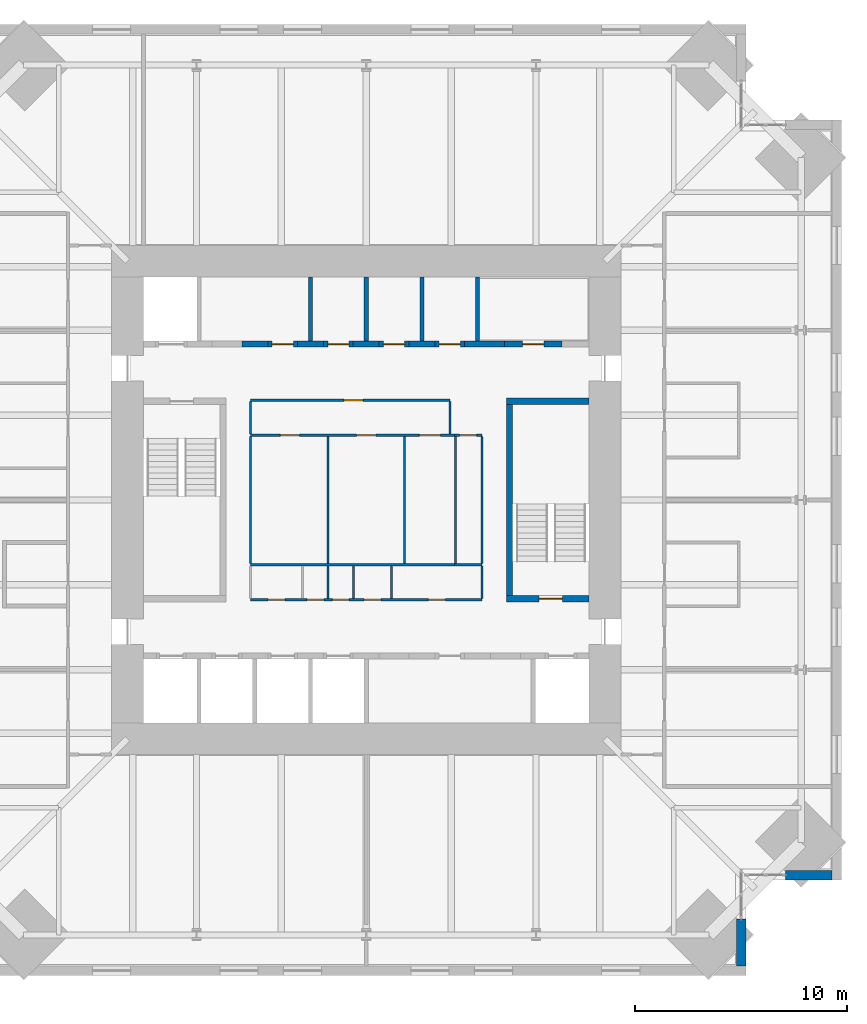
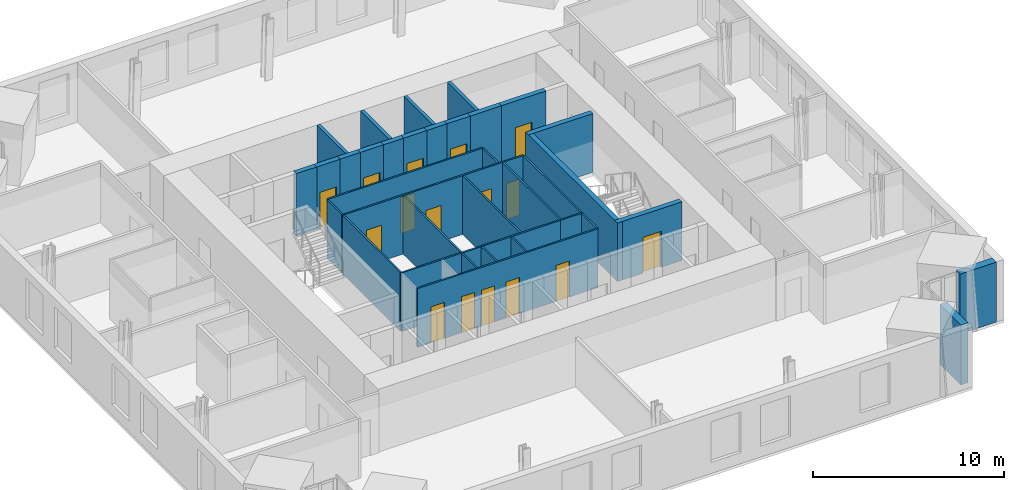
# One storey, part 14 of 17: 36 walls, 16 doors, 16 openings.
"""IFC4 building model written with IfcOpenShell, lengths in metres."""

from ifc_helpers import new_model, si_unit, direction, frame, frame_2d, origin, place, context, subcontext, project, spatial, rectangle, extrude, material, layer, layer_set, type_object, element, fill, save


model = new_model("IFC4")

# Units and contexts
model_context = context("Model", 3, precision=1e-05, world=origin(), true_north=direction((0.0, 1.0)))
body_context = subcontext(model_context, "Body", "Model", "MODEL_VIEW")
ifc_project = project(units=[si_unit("LENGTHUNIT", "METRE"), si_unit("AREAUNIT", "SQUARE_METRE"), si_unit("VOLUMEUNIT", "CUBIC_METRE"), si_unit("PLANEANGLEUNIT", "RADIAN"), si_unit("MASSUNIT", "GRAM", prefix="KILO")], contexts=[model_context])

# Site, building, storey
site_placement = place(None, origin())
site = spatial("IfcSite", under=ifc_project, at=site_placement, CompositionType="ELEMENT")
building_placement = place(site_placement, origin())
building = spatial("IfcBuilding", under=site, at=building_placement, Name="Peilmerk Tower", CompositionType="ELEMENT")
storey_placement = place(building_placement, frame((0.0, 0.0, 257.800048828125)))
storey = spatial("IfcBuildingStorey", under=building, at=storey_placement, Name="L57", CompositionType="ELEMENT", Elevation=257.800048828125)

# Walls
ifc_material_1 = material(Name="Precast concrete C45/55, board-marked finish", Category="concrete")
ifc_layer_1 = layer(ifc_material_1, 0.449951171875)
ifc_layer_set_1 = layer_set([ifc_layer_1], Name="Precast concrete C45/55, board-marked finish")
wall_type_1 = type_object("IfcWallType", Name="EW1 450 precast concrete facade wall, board-marked", PredefinedType="SOLIDWALL", material=ifc_layer_set_1)
for number, where, z_axis, x_axis, name in (
    (1, (17.675048828125, -19.753662109375, 0.0), (0.0, 0.0, 1.0), (0.0, -1.0, 0.0), "Facade wall SEA L57"),
    (2, (19.753662109375, -17.675048828125, 0.0), (0.0, 0.0, 1.0), (1.0, 0.0, 0.0), "Facade wall SEB L57"),
):
    element("IfcWall", number, at=place(storey_placement, frame(where, z_axis=z_axis, x_axis=x_axis)), inside=storey, type_object=wall_type_1, Name=name, PredefinedType="SOLIDWALL", context=body_context, shape_type="SweptSolid", body=[
        extrude(rectangle(XDim=2.1962890625, YDim=0.449951171875, at=frame_2d((1.09814453125, 0.0))), origin(), (0.0, 0.0, 1.0), 3.829833984375),
    ])
ifc_material_2 = material(Name="Concrete C35/45", Category="concrete")
ifc_layer_2 = layer(ifc_material_2, 0.300048828125)
ifc_layer_set_2 = layer_set([ifc_layer_2], Name="Concrete C35/45")
wall_type_2 = type_object("IfcWallType", Name="IW3 300 concrete stair enclosure wall, EI 120", PredefinedType="SOLIDWALL", material=ifc_layer_set_2)
wall_1_placement = place(storey_placement, frame((6.75, -4.800048828125, 0.0), z_axis=(0.0, 0.0, 1.0), x_axis=(0.0, 1.0, 0.0)))
element("IfcWall", 3, at=wall_1_placement, inside=storey, type_object=wall_type_2, Name="Stair 2 enclosure L57", PredefinedType="SOLIDWALL", context=body_context, shape_type="SweptSolid", body=[
    extrude(rectangle(XDim=9.60009765625, YDim=0.300048828125, at=frame_2d((4.800048828125, 0.0))), origin(), (0.0, 0.0, 1.0), 3.75),
])
wall_2_placement = place(storey_placement, frame((6.60009765625, 4.64990234375, 0.0), z_axis=(0.0, 0.0, 1.0), x_axis=(1.0, 0.0, 0.0)))
element("IfcWall", 4, at=wall_2_placement, inside=storey, type_object=wall_type_2, Name="Stair 2 enclosure L57", PredefinedType="SOLIDWALL", context=body_context, shape_type="SweptSolid", body=[
    extrude(rectangle(XDim=3.89990234375, YDim=0.300048828125, at=frame_2d((1.949951171875, 0.0))), origin(), (0.0, 0.0, 1.0), 3.75),
])

# Wall, opening, door
wall_3_placement = place(storey_placement, frame((10.5, -4.64990234375, 0.0), z_axis=(0.0, 0.0, 1.0), x_axis=(-1.0, 0.0, 0.0)))
wall_3 = element("IfcWall", 5, at=wall_3_placement, inside=storey, type_object=wall_type_2, Name="Stair 2 enclosure L57", PredefinedType="SOLIDWALL", context=body_context, shape_type="SweptSolid", body=[
    extrude(rectangle(XDim=3.89990234375, YDim=0.300048828125, at=frame_2d((1.949951171875, 0.0))), origin(), (0.0, 0.0, 1.0), 3.75),
])
opening_1_placement = place(wall_3_placement, frame((1.25, 0.0, 0.0)))
opening_1 = element("IfcOpeningElement", 6, at=opening_1_placement, cuts=wall_3, Name="Opening D4", PredefinedType="OPENING", context=body_context, shape_type="SweptSolid", body=[
    extrude(rectangle(XDim=1.10009765625, YDim=2.300048828125, at=frame_2d((0.550048828125, 1.14990234375))), frame((0.0, 0.159912109375, 0.0), z_axis=(0.0, -1.0, 0.0), x_axis=(1.0, 0.0, 0.0)), (0.0, 0.0, 1.0), 0.320068359375),
])
ifc_material_3 = material(Name="Steel door in steel frame", Category="steel")
door_type_1 = type_object("IfcDoorType", Name="D4 1100x2300 stair door, EI2 60", OperationType="SINGLE_SWING_RIGHT", PredefinedType="DOOR", material=ifc_material_3)
door_1_placement = place(opening_1_placement, frame((1.10009765625, 0.0, 0.0), z_axis=(0.0, 0.0, 1.0), x_axis=(-1.0, 0.0, 0.0)))
door_1 = element("IfcDoor", 7, at=door_1_placement, inside=storey, type_object=door_type_1, Name="Stair 2 door L57", OperationType="SINGLE_SWING_RIGHT", OverallHeight=2.300048828125, OverallWidth=1.10009765625, PredefinedType="DOOR", context=body_context, shape_type="SweptSolid", body=[
    extrude(rectangle(XDim=1.10009765625, YDim=2.300048828125, at=frame_2d((0.550048828125, 1.14990234375))), frame((0.0, 0.02490234375, 0.0), z_axis=(0.0, -1.0, 0.0), x_axis=(1.0, 0.0, 0.0)), (0.0, 0.0, 1.0), 0.050048828125),
])
fill(opening_1, door_1)

# Wall, openings, doors
ifc_material_4 = material(Name="Plasterboard on steel studs", Category="steel")
ifc_layer_3 = layer(ifc_material_4, 0.10009765625)
ifc_layer_set_3 = layer_set([ifc_layer_3], Name="Plasterboard on steel studs")
wall_type_3 = type_object("IfcWallType", Name="IW4 100 WC partition", PredefinedType="PARTITIONING", material=ifc_layer_set_3)
wall_4_placement = place(storey_placement, frame((-5.449951171875, 3.050048828125, 0.0), z_axis=(0.0, 0.0, 1.0), x_axis=(1.0, 0.0, 0.0)))
wall_4 = element("IfcWall", 8, at=wall_4_placement, inside=storey, type_object=wall_type_3, Name="WC wall L57", PredefinedType="PARTITIONING", context=body_context, shape_type="SweptSolid", body=[
    extrude(rectangle(XDim=9.599853515625, YDim=0.10009765625, at=frame_2d((4.7998046875, 0.0))), origin(), (0.0, 0.0, 1.0), 3.75),
])
opening_2_placement = place(wall_4_placement, frame((1.39990234375, 0.0, 0.0)))
opening_2 = element("IfcOpeningElement", 9, at=opening_2_placement, cuts=wall_4, Name="Opening D5", PredefinedType="OPENING", context=body_context, shape_type="SweptSolid", body=[
    extrude(rectangle(XDim=0.89990234375, YDim=2.300048828125, at=frame_2d((0.449951171875, 1.14990234375))), frame((0.0, 0.06005859375, 0.0), z_axis=(0.0, -1.0, 0.0), x_axis=(1.0, 0.0, 0.0)), (0.0, 0.0, 1.0), 0.1201171875),
])
opening_3_placement = place(wall_4_placement, frame((5.0, 0.0, 0.0)))
opening_3 = element("IfcOpeningElement", 10, at=opening_3_placement, cuts=wall_4, Name="Opening D5", PredefinedType="OPENING", context=body_context, shape_type="SweptSolid", body=[
    extrude(rectangle(XDim=0.89990234375, YDim=2.300048828125, at=frame_2d((0.449951171875, 1.14990234375))), frame((0.0, 0.06005859375, 0.0), z_axis=(0.0, -1.0, 0.0), x_axis=(1.0, 0.0, 0.0)), (0.0, 0.0, 1.0), 0.1201171875),
])
opening_4_placement = place(wall_4_placement, frame((7.949951171875, 0.0, 0.0)))
opening_4 = element("IfcOpeningElement", 11, at=opening_4_placement, cuts=wall_4, Name="Opening D6", PredefinedType="OPENING", context=body_context, shape_type="SweptSolid", body=[
    extrude(rectangle(XDim=1.0, YDim=2.300048828125, at=frame_2d((0.5, 1.14990234375))), frame((0.0, 0.06005859375, 0.0), z_axis=(0.0, -1.0, 0.0), x_axis=(1.0, 0.0, 0.0)), (0.0, 0.0, 1.0), 0.1201171875),
])
ifc_material_5 = material(Name="Timber door in steel frame", Category="steel")
door_type_2 = type_object("IfcDoorType", Name="D5 900x2300 WC door", OperationType="SINGLE_SWING_LEFT", PredefinedType="DOOR", material=ifc_material_5)
door_2_placement = place(opening_2_placement, frame((0.89990234375, 0.0, 0.0), z_axis=(0.0, 0.0, 1.0), x_axis=(-1.0, 0.0, 0.0)))
door_2 = element("IfcDoor", 12, at=door_2_placement, inside=storey, type_object=door_type_2, Name="Male toilets door L57", OperationType="SINGLE_SWING_LEFT", OverallHeight=2.300048828125, OverallWidth=0.89990234375, PredefinedType="DOOR", context=body_context, shape_type="SweptSolid", body=[
    extrude(rectangle(XDim=0.89990234375, YDim=2.300048828125, at=frame_2d((0.449951171875, 1.14990234375))), frame((0.0, 0.02490234375, 0.0), z_axis=(0.0, -1.0, 0.0), x_axis=(1.0, 0.0, 0.0)), (0.0, 0.0, 1.0), 0.050048828125),
])
fill(opening_2, door_2)
door_3_placement = place(opening_3_placement, frame((0.89990234375, 0.0, 0.0), z_axis=(0.0, 0.0, 1.0), x_axis=(-1.0, 0.0, 0.0)))
door_3 = element("IfcDoor", 13, at=door_3_placement, inside=storey, type_object=door_type_2, Name="Female toilets door L57", OperationType="SINGLE_SWING_LEFT", OverallHeight=2.300048828125, OverallWidth=0.89990234375, PredefinedType="DOOR", context=body_context, shape_type="SweptSolid", body=[
    extrude(rectangle(XDim=0.89990234375, YDim=2.300048828125, at=frame_2d((0.449951171875, 1.14990234375))), frame((0.0, 0.02490234375, 0.0), z_axis=(0.0, -1.0, 0.0), x_axis=(1.0, 0.0, 0.0)), (0.0, 0.0, 1.0), 0.050048828125),
])
fill(opening_3, door_3)
door_type_3 = type_object("IfcDoorType", Name="D6 1000x2300 accessible WC door", OperationType="SLIDING_TO_LEFT", PredefinedType="DOOR", material=ifc_material_5)
door_4_placement = place(opening_4_placement, frame((1.0, 0.0, 0.0), z_axis=(0.0, 0.0, 1.0), x_axis=(-1.0, 0.0, 0.0)))
door_4 = element("IfcDoor", 14, at=door_4_placement, inside=storey, type_object=door_type_3, Name="Accessible WC door L57", OperationType="SLIDING_TO_LEFT", OverallHeight=2.300048828125, OverallWidth=1.0, PredefinedType="DOOR", context=body_context, shape_type="SweptSolid", body=[
    extrude(rectangle(XDim=1.0, YDim=2.300048828125, at=frame_2d((0.5, 1.14990234375))), frame((0.0, 0.02490234375, 0.0), z_axis=(0.0, -1.0, 0.0), x_axis=(1.0, 0.0, 0.0)), (0.0, 0.0, 1.0), 0.050048828125),
])
fill(opening_4, door_4)

# Walls
wall_5_placement = place(storey_placement, frame((4.14990234375, -3.050048828125, 0.0), z_axis=(0.0, 0.0, 1.0), x_axis=(-1.0, 0.0, 0.0)))
element("IfcWall", 15, at=wall_5_placement, inside=storey, type_object=wall_type_3, Name="WC wall L57", PredefinedType="PARTITIONING", context=body_context, shape_type="SweptSolid", body=[
    extrude(rectangle(XDim=9.599853515625, YDim=0.10009765625, at=frame_2d((4.7998046875, 0.0))), origin(), (0.0, 0.0, 1.0), 3.75),
])
for number, where, z_axis, x_axis, name in (
    (16, (-5.449951171875, -3.0, 0.0), (0.0, 0.0, 1.0), (0.0, 1.0, 0.0), "WC wall L57"),
    (17, (-1.800048828125, -3.0, 0.0), (0.0, 0.0, 1.0), (0.0, 1.0, 0.0), "WC wall L57"),
    (18, (1.800048828125, -3.0, 0.0), (0.0, 0.0, 1.0), (0.0, 1.0, 0.0), "WC wall L57"),
):
    element("IfcWall", number, at=place(storey_placement, frame(where, z_axis=z_axis, x_axis=x_axis)), inside=storey, type_object=wall_type_3, Name=name, PredefinedType="PARTITIONING", context=body_context, shape_type="SweptSolid", body=[
        extrude(rectangle(XDim=6.0, YDim=0.10009765625, at=frame_2d((3.0, 0.0))), origin(), (0.0, 0.0, 1.0), 3.75),
    ])

# Wall, opening, door
ifc_material_6 = material(Name="Calcium silicate board on steel studs", Category="steel")
ifc_layer_4 = layer(ifc_material_6, 0.10009765625)
ifc_layer_set_4 = layer_set([ifc_layer_4], Name="Calcium silicate board on steel studs")
wall_type_4 = type_object("IfcWallType", Name="IW5 100 riser enclosure wall, EI 60", PredefinedType="PARTITIONING", material=ifc_layer_set_4)
wall_6_placement = place(storey_placement, frame((4.14990234375, 3.050048828125, 0.0), z_axis=(0.0, 0.0, 1.0), x_axis=(1.0, 0.0, 0.0)))
wall_6 = element("IfcWall", 19, at=wall_6_placement, inside=storey, type_object=wall_type_4, Name="Riser wall L57", PredefinedType="PARTITIONING", context=body_context, shape_type="SweptSolid", body=[
    extrude(rectangle(XDim=1.300048828125, YDim=0.10009765625, at=frame_2d((0.64990234375, 0.0))), origin(), (0.0, 0.0, 1.0), 3.75),
])
opening_5_placement = place(wall_6_placement, frame((0.25, 0.0, 0.0)))
opening_5 = element("IfcOpeningElement", 20, at=opening_5_placement, cuts=wall_6, Name="Opening D7", PredefinedType="OPENING", context=body_context, shape_type="SweptSolid", body=[
    extrude(rectangle(XDim=0.800048828125, YDim=2.300048828125, at=frame_2d((0.39990234375, 1.14990234375))), frame((0.0, 0.06005859375, 0.0), z_axis=(0.0, -1.0, 0.0), x_axis=(1.0, 0.0, 0.0)), (0.0, 0.0, 1.0), 0.1201171875),
])
door_type_4 = type_object("IfcDoorType", Name="D7 800x2300 riser access door, EI2 60", OperationType="SINGLE_SWING_RIGHT", PredefinedType="DOOR", material=ifc_material_3)
door_5_placement = place(opening_5_placement, frame((0.800048828125, 0.0, 0.0), z_axis=(0.0, 0.0, 1.0), x_axis=(-1.0, 0.0, 0.0)))
door_5 = element("IfcDoor", 21, at=door_5_placement, inside=storey, type_object=door_type_4, Name="Plumbing riser door L57", OperationType="SINGLE_SWING_RIGHT", OverallHeight=2.300048828125, OverallWidth=0.800048828125, PredefinedType="DOOR", context=body_context, shape_type="SweptSolid", body=[
    extrude(rectangle(XDim=0.800048828125, YDim=2.300048828125, at=frame_2d((0.39990234375, 1.14990234375))), frame((0.0, 0.02490234375, 0.0), z_axis=(0.0, -1.0, 0.0), x_axis=(1.0, 0.0, 0.0)), (0.0, 0.0, 1.0), 0.050048828125),
])
fill(opening_5, door_5)

# Walls
wall_7_placement = place(storey_placement, frame((5.449951171875, -3.050048828125, 0.0), z_axis=(0.0, 0.0, 1.0), x_axis=(-1.0, 0.0, 0.0)))
element("IfcWall", 22, at=wall_7_placement, inside=storey, type_object=wall_type_4, Name="Riser wall L57", PredefinedType="PARTITIONING", context=body_context, shape_type="SweptSolid", body=[
    extrude(rectangle(XDim=1.300048828125, YDim=0.10009765625, at=frame_2d((0.64990234375, 0.0))), origin(), (0.0, 0.0, 1.0), 3.75),
])
for number, where, z_axis, x_axis, name in (
    (23, (5.449951171875, 3.0, 0.0), (0.0, 0.0, 1.0), (0.0, -1.0, 0.0), "Riser wall L57"),
    (24, (4.199951171875, -3.0, 0.0), (0.0, 0.0, 1.0), (0.0, 1.0, 0.0), "Riser wall L57"),
):
    element("IfcWall", number, at=place(storey_placement, frame(where, z_axis=z_axis, x_axis=x_axis)), inside=storey, type_object=wall_type_4, Name=name, PredefinedType="PARTITIONING", context=body_context, shape_type="SweptSolid", body=[
        extrude(rectangle(XDim=6.0, YDim=0.10009765625, at=frame_2d((3.0, 0.0))), origin(), (0.0, 0.0, 1.0), 3.75),
    ])

# Wall, openings, doors
wall_8_placement = place(storey_placement, frame((5.449951171875, -4.699951171875, 0.0), z_axis=(0.0, 0.0, 1.0), x_axis=(-1.0, 0.0, 0.0)))
wall_8 = element("IfcWall", 25, at=wall_8_placement, inside=storey, type_object=wall_type_4, Name="Riser wall L57", PredefinedType="PARTITIONING", context=body_context, shape_type="SweptSolid", body=[
    extrude(rectangle(XDim=10.89990234375, YDim=0.10009765625, at=frame_2d((5.449951171875, 0.0))), origin(), (0.0, 0.0, 1.0), 3.75),
])
opening_6_placement = place(wall_8_placement, frame((9.27490234375, 0.0, 0.0)))
opening_6 = element("IfcOpeningElement", 26, at=opening_6_placement, cuts=wall_8, Name="Opening D7", PredefinedType="OPENING", context=body_context, shape_type="SweptSolid", body=[
    extrude(rectangle(XDim=0.800048828125, YDim=2.300048828125, at=frame_2d((0.39990234375, 1.14990234375))), frame((0.0, 0.06005859375, 0.0), z_axis=(0.0, -1.0, 0.0), x_axis=(1.0, 0.0, 0.0)), (0.0, 0.0, 1.0), 0.1201171875),
])
opening_7_placement = place(wall_8_placement, frame((7.449951171875, 0.0, 0.0)))
opening_7 = element("IfcOpeningElement", 27, at=opening_7_placement, cuts=wall_8, Name="Opening D7", PredefinedType="OPENING", context=body_context, shape_type="SweptSolid", body=[
    extrude(rectangle(XDim=0.800048828125, YDim=2.300048828125, at=frame_2d((0.39990234375, 1.14990234375))), frame((0.0, 0.06005859375, 0.0), z_axis=(0.0, -1.0, 0.0), x_axis=(1.0, 0.0, 0.0)), (0.0, 0.0, 1.0), 0.1201171875),
])
opening_8_placement = place(wall_8_placement, frame((6.25, 0.0, 0.0)))
opening_8 = element("IfcOpeningElement", 28, at=opening_8_placement, cuts=wall_8, Name="Opening D7", PredefinedType="OPENING", context=body_context, shape_type="SweptSolid", body=[
    extrude(rectangle(XDim=0.800048828125, YDim=2.300048828125, at=frame_2d((0.39990234375, 1.14990234375))), frame((0.0, 0.06005859375, 0.0), z_axis=(0.0, -1.0, 0.0), x_axis=(1.0, 0.0, 0.0)), (0.0, 0.0, 1.0), 0.1201171875),
])
opening_9_placement = place(wall_8_placement, frame((4.75, 0.0, 0.0)))
opening_9 = element("IfcOpeningElement", 29, at=opening_9_placement, cuts=wall_8, Name="Opening D7", PredefinedType="OPENING", context=body_context, shape_type="SweptSolid", body=[
    extrude(rectangle(XDim=0.800048828125, YDim=2.300048828125, at=frame_2d((0.39990234375, 1.14990234375))), frame((0.0, 0.06005859375, 0.0), z_axis=(0.0, -1.0, 0.0), x_axis=(1.0, 0.0, 0.0)), (0.0, 0.0, 1.0), 0.1201171875),
])
opening_10_placement = place(wall_8_placement, frame((1.72509765625, 0.0, 0.0)))
opening_10 = element("IfcOpeningElement", 30, at=opening_10_placement, cuts=wall_8, Name="Opening D7", PredefinedType="OPENING", context=body_context, shape_type="SweptSolid", body=[
    extrude(rectangle(XDim=0.800048828125, YDim=2.300048828125, at=frame_2d((0.39990234375, 1.14990234375))), frame((0.0, 0.06005859375, 0.0), z_axis=(0.0, -1.0, 0.0), x_axis=(1.0, 0.0, 0.0)), (0.0, 0.0, 1.0), 0.1201171875),
])
door_6_placement = place(opening_6_placement, frame((0.800048828125, 0.0, 0.0), z_axis=(0.0, 0.0, 1.0), x_axis=(-1.0, 0.0, 0.0)))
door_6 = element("IfcDoor", 31, at=door_6_placement, inside=storey, type_object=door_type_4, Name="Electrical room door L57", OperationType="SINGLE_SWING_RIGHT", OverallHeight=2.300048828125, OverallWidth=0.800048828125, PredefinedType="DOOR", context=body_context, shape_type="SweptSolid", body=[
    extrude(rectangle(XDim=0.800048828125, YDim=2.300048828125, at=frame_2d((0.39990234375, 1.14990234375))), frame((0.0, 0.02490234375, 0.0), z_axis=(0.0, -1.0, 0.0), x_axis=(1.0, 0.0, 0.0)), (0.0, 0.0, 1.0), 0.050048828125),
])
fill(opening_6, door_6)
door_7_placement = place(opening_7_placement, frame((0.800048828125, 0.0, 0.0), z_axis=(0.0, 0.0, 1.0), x_axis=(-1.0, 0.0, 0.0)))
door_7 = element("IfcDoor", 32, at=door_7_placement, inside=storey, type_object=door_type_4, Name="Electrical riser door L57", OperationType="SINGLE_SWING_RIGHT", OverallHeight=2.300048828125, OverallWidth=0.800048828125, PredefinedType="DOOR", context=body_context, shape_type="SweptSolid", body=[
    extrude(rectangle(XDim=0.800048828125, YDim=2.300048828125, at=frame_2d((0.39990234375, 1.14990234375))), frame((0.0, 0.02490234375, 0.0), z_axis=(0.0, -1.0, 0.0), x_axis=(1.0, 0.0, 0.0)), (0.0, 0.0, 1.0), 0.050048828125),
])
fill(opening_7, door_7)
door_8_placement = place(opening_8_placement, frame((0.800048828125, 0.0, 0.0), z_axis=(0.0, 0.0, 1.0), x_axis=(-1.0, 0.0, 0.0)))
door_8 = element("IfcDoor", 33, at=door_8_placement, inside=storey, type_object=door_type_4, Name="Data riser door L57", OperationType="SINGLE_SWING_RIGHT", OverallHeight=2.300048828125, OverallWidth=0.800048828125, PredefinedType="DOOR", context=body_context, shape_type="SweptSolid", body=[
    extrude(rectangle(XDim=0.800048828125, YDim=2.300048828125, at=frame_2d((0.39990234375, 1.14990234375))), frame((0.0, 0.02490234375, 0.0), z_axis=(0.0, -1.0, 0.0), x_axis=(1.0, 0.0, 0.0)), (0.0, 0.0, 1.0), 0.050048828125),
])
fill(opening_8, door_8)
door_9_placement = place(opening_9_placement, frame((0.800048828125, 0.0, 0.0), z_axis=(0.0, 0.0, 1.0), x_axis=(-1.0, 0.0, 0.0)))
door_9 = element("IfcDoor", 34, at=door_9_placement, inside=storey, type_object=door_type_4, Name="Cleaner's cupboard door L57", OperationType="SINGLE_SWING_RIGHT", OverallHeight=2.300048828125, OverallWidth=0.800048828125, PredefinedType="DOOR", context=body_context, shape_type="SweptSolid", body=[
    extrude(rectangle(XDim=0.800048828125, YDim=2.300048828125, at=frame_2d((0.39990234375, 1.14990234375))), frame((0.0, 0.02490234375, 0.0), z_axis=(0.0, -1.0, 0.0), x_axis=(1.0, 0.0, 0.0)), (0.0, 0.0, 1.0), 0.050048828125),
])
fill(opening_9, door_9)
door_10_placement = place(opening_10_placement, frame((0.800048828125, 0.0, 0.0), z_axis=(0.0, 0.0, 1.0), x_axis=(-1.0, 0.0, 0.0)))
door_10 = element("IfcDoor", 35, at=door_10_placement, inside=storey, type_object=door_type_4, Name="Comms room door L57", OperationType="SINGLE_SWING_RIGHT", OverallHeight=2.300048828125, OverallWidth=0.800048828125, PredefinedType="DOOR", context=body_context, shape_type="SweptSolid", body=[
    extrude(rectangle(XDim=0.800048828125, YDim=2.300048828125, at=frame_2d((0.39990234375, 1.14990234375))), frame((0.0, 0.02490234375, 0.0), z_axis=(0.0, -1.0, 0.0), x_axis=(1.0, 0.0, 0.0)), (0.0, 0.0, 1.0), 0.050048828125),
])
fill(opening_10, door_10)

# Walls
for number, where, z_axis, x_axis, name in (
    (36, (5.449951171875, -3.10009765625, 0.0), (0.0, 0.0, 1.0), (0.0, -1.0, 0.0), "Riser wall L57"),
    (37, (-1.800048828125, -3.10009765625, 0.0), (0.0, 0.0, 1.0), (0.0, -1.0, 0.0), "Riser wall L57"),
    (38, (-0.60009765625, -3.10009765625, 0.0), (0.0, 0.0, 1.0), (0.0, -1.0, 0.0), "Riser wall L57"),
    (39, (1.199951171875, -3.10009765625, 0.0), (0.0, 0.0, 1.0), (0.0, -1.0, 0.0), "Riser wall L57"),
):
    element("IfcWall", number, at=place(storey_placement, frame(where, z_axis=z_axis, x_axis=x_axis)), inside=storey, type_object=wall_type_4, Name=name, PredefinedType="PARTITIONING", context=body_context, shape_type="SweptSolid", body=[
        extrude(rectangle(XDim=1.5498046875, YDim=0.10009765625, at=frame_2d((0.77490234375, 0.0))), origin(), (0.0, 0.0, 1.0), 3.75),
    ])

# Wall, opening, door
ifc_material_7 = material(Name="Fire-resisting plasterboard on steel studs", Category="steel")
ifc_layer_5 = layer(ifc_material_7, 0.10009765625)
ifc_layer_set_5 = layer_set([ifc_layer_5], Name="Fire-resisting plasterboard on steel studs")
wall_type_5 = type_object("IfcWallType", Name="IW9 100 WC lobby wall, EI 30", PredefinedType="PARTITIONING", material=ifc_layer_set_5)
wall_9_placement = place(storey_placement, frame((-5.449951171875, 4.699951171875, 0.0), z_axis=(0.0, 0.0, 1.0), x_axis=(1.0, 0.0, 0.0)))
wall_9 = element("IfcWall", 40, at=wall_9_placement, inside=storey, type_object=wall_type_5, Name="WC lobby wall L57", PredefinedType="PARTITIONING", context=body_context, shape_type="SweptSolid", body=[
    extrude(rectangle(XDim=9.39990234375, YDim=0.10009765625, at=frame_2d((4.699951171875, 0.0))), origin(), (0.0, 0.0, 1.0), 3.75),
])
opening_11_placement = place(wall_9_placement, frame((4.39990234375, 0.0, 0.0)))
opening_11 = element("IfcOpeningElement", 41, at=opening_11_placement, cuts=wall_9, Name="Opening D11", PredefinedType="OPENING", context=body_context, shape_type="SweptSolid", body=[
    extrude(rectangle(XDim=0.89990234375, YDim=2.300048828125, at=frame_2d((0.449951171875, 1.14990234375))), frame((0.0, 0.06005859375, 0.0), z_axis=(0.0, -1.0, 0.0), x_axis=(1.0, 0.0, 0.0)), (0.0, 0.0, 1.0), 0.1201171875),
])
door_type_5 = type_object("IfcDoorType", Name="D11 900x2300 WC lobby door, EI2 30", OperationType="SINGLE_SWING_LEFT", PredefinedType="DOOR", material=ifc_material_5)
door_11_placement = place(opening_11_placement, frame((0.89990234375, 0.0, 0.0), z_axis=(0.0, 0.0, 1.0), x_axis=(-1.0, 0.0, 0.0)))
door_11 = element("IfcDoor", 42, at=door_11_placement, inside=storey, type_object=door_type_5, Name="WC lobby door L57", OperationType="SINGLE_SWING_LEFT", OverallHeight=2.300048828125, OverallWidth=0.89990234375, PredefinedType="DOOR", context=body_context, shape_type="SweptSolid", body=[
    extrude(rectangle(XDim=0.89990234375, YDim=2.300048828125, at=frame_2d((0.449951171875, 1.14990234375))), frame((0.0, 0.02490234375, 0.0), z_axis=(0.0, -1.0, 0.0), x_axis=(1.0, 0.0, 0.0)), (0.0, 0.0, 1.0), 0.050048828125),
])
fill(opening_11, door_11)

# Walls
for number, where, z_axis, x_axis, name in (
    (43, (-5.449951171875, 3.10009765625, 0.0), (0.0, 0.0, 1.0), (0.0, 1.0, 0.0), "WC lobby wall L57"),
    (44, (3.949951171875, 3.10009765625, 0.0), (0.0, 0.0, 1.0), (0.0, 1.0, 0.0), "WC lobby wall L57"),
):
    element("IfcWall", number, at=place(storey_placement, frame(where, z_axis=z_axis, x_axis=x_axis)), inside=storey, type_object=wall_type_5, Name=name, PredefinedType="PARTITIONING", context=body_context, shape_type="SweptSolid", body=[
        extrude(rectangle(XDim=1.5498046875, YDim=0.10009765625, at=frame_2d((0.77490234375, 0.0))), origin(), (0.0, 0.0, 1.0), 3.75),
    ])
ifc_material_8 = material(Name="Calcium silicate block", Category="masonry")
ifc_layer_6 = layer(ifc_material_8, 0.199951171875)
ifc_layer_set_6 = layer_set([ifc_layer_6], Name="Calcium silicate block")
wall_type_6 = type_object("IfcWallType", Name="SH1 200 shaft dividing wall, EI 120", PredefinedType="PARTITIONING", material=ifc_layer_set_6)
for number, where, z_axis, x_axis, name in (
    (45, (-2.625, 7.5, 0.0), (0.0, 0.0, 1.0), (0.0, 1.0, 0.0), "Shaft wall N A2 L57"),
    (46, (0.0, 7.5, 0.0), (0.0, 0.0, 1.0), (0.0, 1.0, 0.0), "Shaft wall N A3 L57"),
    (47, (2.625, 7.5, 0.0), (0.0, 0.0, 1.0), (0.0, 1.0, 0.0), "Shaft wall N S1 L57"),
    (48, (5.25, 7.5, 0.0), (0.0, 0.0, 1.0), (0.0, 1.0, 0.0), "Shaft wall N S2 L57"),
):
    element("IfcWall", number, at=place(storey_placement, frame(where, z_axis=z_axis, x_axis=x_axis)), inside=storey, type_object=wall_type_6, Name=name, PredefinedType="PARTITIONING", context=body_context, shape_type="SweptSolid", body=[
        extrude(rectangle(XDim=3.0, YDim=0.199951171875, at=frame_2d((1.5, 0.0))), origin(), (0.0, 0.0, 1.0), 4.0),
    ])

# Wall, opening, door
ifc_layer_7 = layer(ifc_material_8, 0.300048828125)
ifc_layer_set_7 = layer_set([ifc_layer_7], Name="Calcium silicate block")
wall_type_7 = type_object("IfcWallType", Name="SH2 300 lift landing door panel, EI 120", PredefinedType="PARTITIONING", material=ifc_layer_set_7)
wall_10_placement = place(storey_placement, frame((-4.637451171875, 7.35009765625, 0.0), z_axis=(0.0, 0.0, 1.0), x_axis=(1.0, 0.0, 0.0)))
wall_10 = element("IfcWall", 49, at=wall_10_placement, inside=storey, type_object=wall_type_7, Name="Lift door panel N A2 L57", PredefinedType="PARTITIONING", context=body_context, shape_type="SweptSolid", body=[
    extrude(rectangle(XDim=1.39990234375, YDim=0.300048828125, at=frame_2d((0.699951171875, 0.0))), origin(), (0.0, 0.0, 1.0), 4.0),
])
opening_12_placement = place(wall_10_placement, frame((0.199951171875, 0.0, 0.0)))
opening_12 = element("IfcOpeningElement", 50, at=opening_12_placement, cuts=wall_10, Name="Opening D10", PredefinedType="OPENING", context=body_context, shape_type="SweptSolid", body=[
    extrude(rectangle(XDim=1.0, YDim=2.300048828125, at=frame_2d((0.5, 1.14990234375))), frame((0.0, 0.159912109375, 0.0), z_axis=(0.0, -1.0, 0.0), x_axis=(1.0, 0.0, 0.0)), (0.0, 0.0, 1.0), 0.320068359375),
])
door_type_6 = type_object("IfcDoorType", Name="D10 1000x2300 core room door, EI2 60", OperationType="SINGLE_SWING_RIGHT", PredefinedType="DOOR", material=ifc_material_3)
door_12_placement = place(opening_12_placement, origin())
door_12 = element("IfcDoor", 51, at=door_12_placement, inside=storey, type_object=door_type_6, Name="Door Staff room L57", OperationType="SINGLE_SWING_RIGHT", OverallHeight=2.300048828125, OverallWidth=1.0, PredefinedType="DOOR", context=body_context, shape_type="SweptSolid", body=[
    extrude(rectangle(XDim=1.0, YDim=2.300048828125, at=frame_2d((0.5, 1.14990234375))), frame((0.0, 0.02490234375, 0.0), z_axis=(0.0, -1.0, 0.0), x_axis=(1.0, 0.0, 0.0)), (0.0, 0.0, 1.0), 0.050048828125),
])
fill(opening_12, door_12)

wall_11_placement = place(storey_placement, frame((-2.012451171875, 7.35009765625, 0.0), z_axis=(0.0, 0.0, 1.0), x_axis=(1.0, 0.0, 0.0)))
wall_11 = element("IfcWall", 52, at=wall_11_placement, inside=storey, type_object=wall_type_7, Name="Lift door panel N A3 L57", PredefinedType="PARTITIONING", context=body_context, shape_type="SweptSolid", body=[
    extrude(rectangle(XDim=1.39990234375, YDim=0.300048828125, at=frame_2d((0.699951171875, 0.0))), origin(), (0.0, 0.0, 1.0), 4.0),
])
opening_13_placement = place(wall_11_placement, frame((0.199951171875, 0.0, 0.0)))
opening_13 = element("IfcOpeningElement", 53, at=opening_13_placement, cuts=wall_11, Name="Opening D10", PredefinedType="OPENING", context=body_context, shape_type="SweptSolid", body=[
    extrude(rectangle(XDim=1.0, YDim=2.300048828125, at=frame_2d((0.5, 1.14990234375))), frame((0.0, 0.159912109375, 0.0), z_axis=(0.0, -1.0, 0.0), x_axis=(1.0, 0.0, 0.0)), (0.0, 0.0, 1.0), 0.320068359375),
])
door_13_placement = place(opening_13_placement, origin())
door_13 = element("IfcDoor", 54, at=door_13_placement, inside=storey, type_object=door_type_6, Name="Door Water meter room L57", OperationType="SINGLE_SWING_RIGHT", OverallHeight=2.300048828125, OverallWidth=1.0, PredefinedType="DOOR", context=body_context, shape_type="SweptSolid", body=[
    extrude(rectangle(XDim=1.0, YDim=2.300048828125, at=frame_2d((0.5, 1.14990234375))), frame((0.0, 0.02490234375, 0.0), z_axis=(0.0, -1.0, 0.0), x_axis=(1.0, 0.0, 0.0)), (0.0, 0.0, 1.0), 0.050048828125),
])
fill(opening_13, door_13)

wall_12_placement = place(storey_placement, frame((0.612548828125, 7.35009765625, 0.0), z_axis=(0.0, 0.0, 1.0), x_axis=(1.0, 0.0, 0.0)))
wall_12 = element("IfcWall", 55, at=wall_12_placement, inside=storey, type_object=wall_type_7, Name="Lift door panel N S1 L57", PredefinedType="PARTITIONING", context=body_context, shape_type="SweptSolid", body=[
    extrude(rectangle(XDim=1.39990234375, YDim=0.300048828125, at=frame_2d((0.699951171875, 0.0))), origin(), (0.0, 0.0, 1.0), 4.0),
])
opening_14_placement = place(wall_12_placement, frame((0.199951171875, 0.0, 0.0)))
opening_14 = element("IfcOpeningElement", 56, at=opening_14_placement, cuts=wall_12, Name="Opening D10", PredefinedType="OPENING", context=body_context, shape_type="SweptSolid", body=[
    extrude(rectangle(XDim=1.0, YDim=2.300048828125, at=frame_2d((0.5, 1.14990234375))), frame((0.0, 0.159912109375, 0.0), z_axis=(0.0, -1.0, 0.0), x_axis=(1.0, 0.0, 0.0)), (0.0, 0.0, 1.0), 0.320068359375),
])
door_14_placement = place(opening_14_placement, origin())
door_14 = element("IfcDoor", 57, at=door_14_placement, inside=storey, type_object=door_type_6, Name="Door Staff WC L57", OperationType="SINGLE_SWING_RIGHT", OverallHeight=2.300048828125, OverallWidth=1.0, PredefinedType="DOOR", context=body_context, shape_type="SweptSolid", body=[
    extrude(rectangle(XDim=1.0, YDim=2.300048828125, at=frame_2d((0.5, 1.14990234375))), frame((0.0, 0.02490234375, 0.0), z_axis=(0.0, -1.0, 0.0), x_axis=(1.0, 0.0, 0.0)), (0.0, 0.0, 1.0), 0.050048828125),
])
fill(opening_14, door_14)

wall_13_placement = place(storey_placement, frame((3.237548828125, 7.35009765625, 0.0), z_axis=(0.0, 0.0, 1.0), x_axis=(1.0, 0.0, 0.0)))
wall_13 = element("IfcWall", 58, at=wall_13_placement, inside=storey, type_object=wall_type_7, Name="Lift door panel N S2 L57", PredefinedType="PARTITIONING", context=body_context, shape_type="SweptSolid", body=[
    extrude(rectangle(XDim=1.39990234375, YDim=0.300048828125, at=frame_2d((0.699951171875, 0.0))), origin(), (0.0, 0.0, 1.0), 4.0),
])
opening_15_placement = place(wall_13_placement, frame((0.199951171875, 0.0, 0.0)))
opening_15 = element("IfcOpeningElement", 59, at=opening_15_placement, cuts=wall_13, Name="Opening D10", PredefinedType="OPENING", context=body_context, shape_type="SweptSolid", body=[
    extrude(rectangle(XDim=1.0, YDim=2.300048828125, at=frame_2d((0.5, 1.14990234375))), frame((0.0, 0.159912109375, 0.0), z_axis=(0.0, -1.0, 0.0), x_axis=(1.0, 0.0, 0.0)), (0.0, 0.0, 1.0), 0.320068359375),
])
door_15_placement = place(opening_15_placement, origin())
door_15 = element("IfcDoor", 60, at=door_15_placement, inside=storey, type_object=door_type_6, Name="Door IT room L57", OperationType="SINGLE_SWING_RIGHT", OverallHeight=2.300048828125, OverallWidth=1.0, PredefinedType="DOOR", context=body_context, shape_type="SweptSolid", body=[
    extrude(rectangle(XDim=1.0, YDim=2.300048828125, at=frame_2d((0.5, 1.14990234375))), frame((0.0, 0.02490234375, 0.0), z_axis=(0.0, -1.0, 0.0), x_axis=(1.0, 0.0, 0.0)), (0.0, 0.0, 1.0), 0.050048828125),
])
fill(opening_15, door_15)

wall_14_placement = place(storey_placement, frame((6.52490234375, 7.35009765625, 0.0), z_axis=(0.0, 0.0, 1.0), x_axis=(1.0, 0.0, 0.0)))
wall_14 = element("IfcWall", 61, at=wall_14_placement, inside=storey, type_object=wall_type_7, Name="Lift door panel N GL1 L57", PredefinedType="PARTITIONING", context=body_context, shape_type="SweptSolid", body=[
    extrude(rectangle(XDim=2.7001953125, YDim=0.300048828125, at=frame_2d((1.35009765625, 0.0))), origin(), (0.0, 0.0, 1.0), 4.0),
])
opening_16_placement = place(wall_14_placement, frame((0.85009765625, 0.0, 0.0)))
opening_16 = element("IfcOpeningElement", 62, at=opening_16_placement, cuts=wall_14, Name="Opening D10", PredefinedType="OPENING", context=body_context, shape_type="SweptSolid", body=[
    extrude(rectangle(XDim=1.0, YDim=2.300048828125, at=frame_2d((0.5, 1.14990234375))), frame((0.0, 0.159912109375, 0.0), z_axis=(0.0, -1.0, 0.0), x_axis=(1.0, 0.0, 0.0)), (0.0, 0.0, 1.0), 0.320068359375),
])
door_16_placement = place(opening_16_placement, origin())
door_16 = element("IfcDoor", 63, at=door_16_placement, inside=storey, type_object=door_type_6, Name="Door Pantry L57", OperationType="SINGLE_SWING_RIGHT", OverallHeight=2.300048828125, OverallWidth=1.0, PredefinedType="DOOR", context=body_context, shape_type="SweptSolid", body=[
    extrude(rectangle(XDim=1.0, YDim=2.300048828125, at=frame_2d((0.5, 1.14990234375))), frame((0.0, 0.02490234375, 0.0), z_axis=(0.0, -1.0, 0.0), x_axis=(1.0, 0.0, 0.0)), (0.0, 0.0, 1.0), 0.050048828125),
])
fill(opening_16, door_16)

# Walls
ifc_material_9 = material(Name="Concrete C55/67", Category="concrete")
ifc_layer_8 = layer(ifc_material_9, 0.300048828125)
ifc_layer_set_8 = layer_set([ifc_layer_8], Name="Concrete C55/67")
wall_type_8 = type_object("IfcWallType", Name="SW2 300 lift bank pier", PredefinedType="SHEAR", material=ifc_layer_set_8)
for number, where, z_axis, x_axis, name in (
    (64, (-5.862548828125, 7.35009765625, 0.0), (0.0, 0.0, 1.0), (1.0, 0.0, 0.0), "Lift bank pier N L57"),
    (65, (-3.237548828125, 7.35009765625, 0.0), (0.0, 0.0, 1.0), (1.0, 0.0, 0.0), "Lift bank pier N L57"),
    (66, (-0.612548828125, 7.35009765625, 0.0), (0.0, 0.0, 1.0), (1.0, 0.0, 0.0), "Lift bank pier N L57"),
    (67, (2.012451171875, 7.35009765625, 0.0), (0.0, 0.0, 1.0), (1.0, 0.0, 0.0), "Lift bank pier N L57"),
):
    element("IfcWall", number, at=place(storey_placement, frame(where, z_axis=z_axis, x_axis=x_axis)), inside=storey, type_object=wall_type_8, Name=name, PredefinedType="SHEAR", context=body_context, shape_type="SweptSolid", body=[
        extrude(rectangle(XDim=1.22509765625, YDim=0.300048828125, at=frame_2d((0.612548828125, 0.0))), origin(), (0.0, 0.0, 1.0), 4.0),
    ])
wall_15_placement = place(storey_placement, frame((4.637451171875, 7.35009765625, 0.0), z_axis=(0.0, 0.0, 1.0), x_axis=(1.0, 0.0, 0.0)))
element("IfcWall", 68, at=wall_15_placement, inside=storey, type_object=wall_type_8, Name="Lift bank pier N L57", PredefinedType="SHEAR", context=body_context, shape_type="SweptSolid", body=[
    extrude(rectangle(XDim=1.887451171875, YDim=0.300048828125, at=frame_2d((0.94384765625, 0.0))), origin(), (0.0, 0.0, 1.0), 4.0),
])

save(model, "model.ifc")
